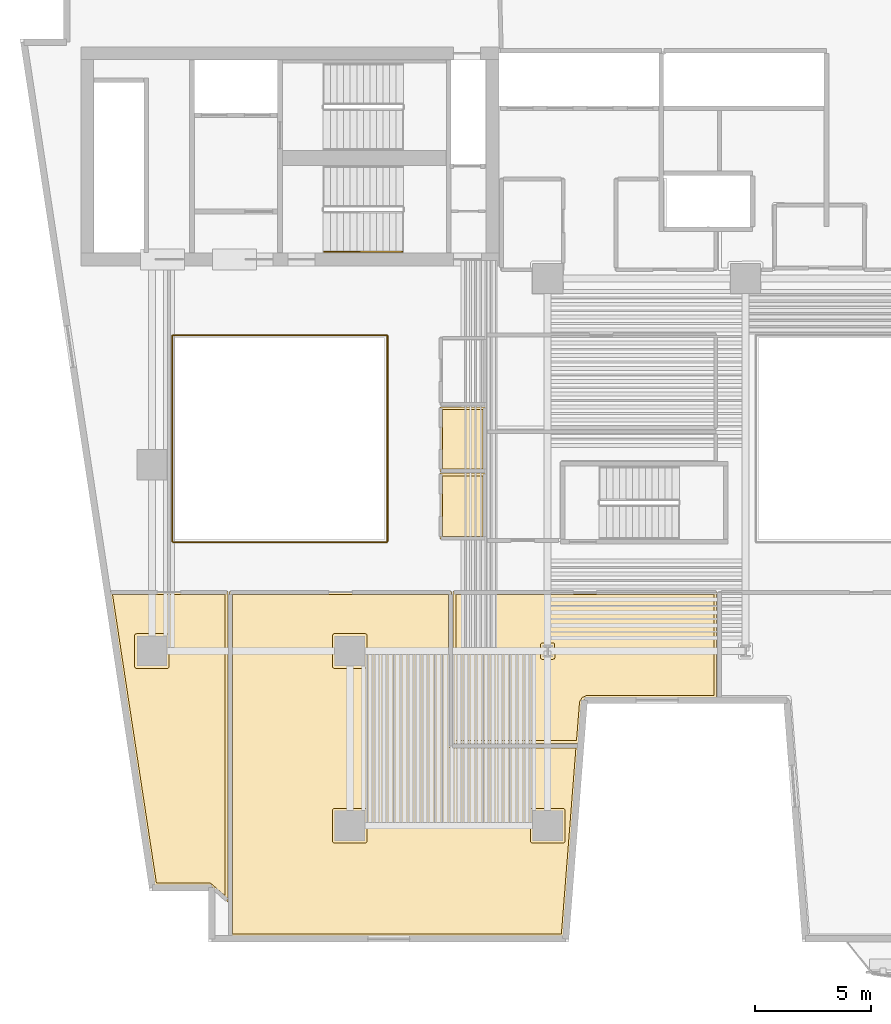
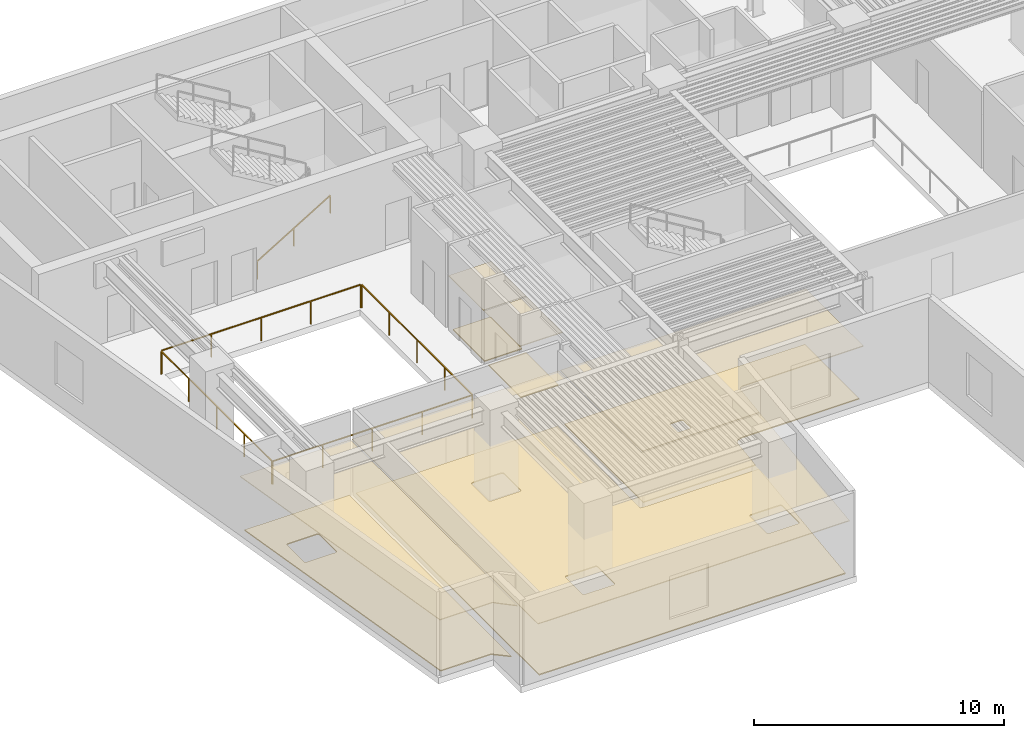
# One storey, part 7 of 11: 10 coverings, 5 railings.
"""IFC4 building model written with IfcOpenShell, lengths in metres."""

from ifc_helpers import new_model, si_unit, direction, frame, origin, origin_2d, place, context, subcontext, project, spatial, polyline, rectangle, outline, extrude, material, layer, layer_set, type_object, element, save


model = new_model("IFC4")

# Units and contexts
model_context = context("Model", 3, precision=1e-05, world=origin(), true_north=direction((0.0, 1.0)))
body_context = subcontext(model_context, "Body", "Model", "MODEL_VIEW")
ifc_project = project(units=[si_unit("LENGTHUNIT", "METRE"), si_unit("AREAUNIT", "SQUARE_METRE"), si_unit("VOLUMEUNIT", "CUBIC_METRE"), si_unit("PLANEANGLEUNIT", "RADIAN"), si_unit("MASSUNIT", "GRAM", prefix="KILO")], contexts=[model_context])

# Site, building, storey
site_placement = place(None, origin())
site = spatial("IfcSite", under=ifc_project, at=site_placement, CompositionType="ELEMENT")
building_placement = place(site_placement, origin())
building = spatial("IfcBuilding", under=site, at=building_placement, Name="Caeloran Harvest Quay", CompositionType="ELEMENT")
storey_placement = place(building_placement, frame((0.0, 0.0, 75.39990234375)))
storey = spatial("IfcBuildingStorey", under=building, at=storey_placement, Name="L17", CompositionType="ELEMENT", Elevation=75.39990234375)

# Coverings
ifc_material_1 = material(Name="Perforated Mineral-Fibre Acoustic Ceiling Tile", Category="ceiling")
ifc_layer_1 = layer(ifc_material_1, 0.0400390625, Name="Perforated Mineral-Fibre Acoustic Ceiling Tile")
ifc_layer_set_1 = layer_set([ifc_layer_1], Name="Perforated Mineral-Fibre Acoustic Ceiling Tile")
covering_type_1 = type_object("IfcCoveringType", Name="COV-CEILING-ACOUSTIC", PredefinedType="CEILING", material=ifc_layer_set_1)
covering_1_placement = place(storey_placement, frame((0.0, 0.0, 2.60009765625)))
element("IfcCovering", 1, at=covering_1_placement, inside=storey, type_object=covering_type_1, Name="L17 Female Washroom WC Acoustic Ceiling", PredefinedType="CEILING", context=body_context, shape_type="SweptSolid", body=[
    extrude(outline(polyline([(22.840087890625, 22.7099609375), (20.8701171875, 22.7099609375), (20.8701171875, 25.489990234375), (22.840087890625, 25.489990234375), (22.840087890625, 22.7099609375)])), origin(), (0.0, 0.0, 1.0), 0.0400390625),
])
covering_2_placement = place(storey_placement, frame((0.0, 0.0, 2.60009765625)))
element("IfcCovering", 2, at=covering_2_placement, inside=storey, type_object=covering_type_1, Name="L17 Accessible Unisex Washroom WC Acoustic Ceiling", PredefinedType="CEILING", context=body_context, shape_type="SweptSolid", body=[
    extrude(outline(polyline([(22.840087890625, 19.81005859375), (20.8701171875, 19.81005859375), (20.8701171875, 22.639892578125), (22.840087890625, 22.639892578125), (22.840087890625, 19.81005859375)])), origin(), (0.0, 0.0, 1.0), 0.0400390625),
])
covering_3_placement = place(storey_placement, frame((0.0, 0.0, 2.60009765625)))
element("IfcCovering", 3, at=covering_3_placement, inside=storey, type_object=covering_type_1, Name="Dwarf Citrus Mezzanine Growing Hall Acoustic Ceiling", PredefinedType="CEILING", context=body_context, shape_type="SweptSolid", body=[
    extrude(outline(polyline([(21.360107421875, 10.9599609375), (26.842529296875, 10.9599609375), (26.199462890625, 2.719970703125), (11.840087890625, 2.719970703125), (11.840087890625, 17.56005859375), (21.360107421875, 17.56005859375), (21.360107421875, 10.9599609375)])), origin(), (0.0, 0.0, 1.0), 0.0400390625),
])
covering_4_placement = place(storey_placement, frame((0.0, 0.0, 2.60009765625)))
element("IfcCovering", 4, at=covering_4_placement, inside=storey, type_object=covering_type_1, Name="Photobiology Spectrum Laboratory Acoustic Ceiling", PredefinedType="CEILING", context=body_context, shape_type="SweptSolid", body=[
    extrude(outline(polyline([(11.760009765625, 4.2236328125), (11.139404296875, 4.7861328125), (11.092529296875, 4.85546875), (10.99169921875, 4.919921875), (8.59130859375, 4.919921875), (6.668701171875, 17.56005859375), (11.760009765625, 17.56005859375), (11.760009765625, 4.2236328125)])), origin(), (0.0, 0.0, 1.0), 0.0400390625),
])
covering_5_placement = place(storey_placement, frame((0.0, 0.0, 2.60009765625)))
element("IfcCovering", 5, at=covering_5_placement, inside=storey, type_object=covering_type_1, Name="Water Chemistry QA Laboratory Acoustic Ceiling", PredefinedType="CEILING", context=body_context, shape_type="SweptSolid", body=[
    extrude(outline(polyline([(27.159423828125, 12.965576171875), (27.0458984375, 12.90380859375), (26.986572265625, 12.788818359375), (26.848876953125, 11.0400390625), (21.43994140625, 11.0400390625), (21.43994140625, 17.56005859375), (32.760009765625, 17.56005859375), (32.760009765625, 12.969970703125), (27.159423828125, 12.965576171875)])), origin(), (0.0, 0.0, 1.0), 0.0400390625),
])
ifc_material_2 = material(Name="Calcium-Sulphate Raised Access Floor and Terrazzo Finish", Category="flooring")
ifc_layer_2 = layer(ifc_material_2, 0.050048828125, Name="Calcium-Sulphate Raised Access Floor and Terrazzo Finish")
ifc_layer_set_2 = layer_set([ifc_layer_2], Name="Calcium-Sulphate Raised Access Floor and Terrazzo Finish")
covering_type_2 = type_object("IfcCoveringType", Name="COV-FLOOR-RAISED", PredefinedType="FLOORING", material=ifc_layer_set_2)
covering_6_placement = place(storey_placement, origin())
element("IfcCovering", 6, at=covering_6_placement, inside=storey, type_object=covering_type_2, Name="L17 Female Washroom WC Raised Finish Flooring", PredefinedType="FLOORING", context=body_context, shape_type="SweptSolid", body=[
    extrude(outline(polyline([(22.719970703125, 22.830078125), (20.989990234375, 22.830078125), (20.989990234375, 25.3701171875), (22.719970703125, 25.3701171875), (22.719970703125, 22.830078125)])), origin(), (0.0, 0.0, 1.0), 0.050048828125),
])
covering_7_placement = place(storey_placement, origin())
element("IfcCovering", 7, at=covering_7_placement, inside=storey, type_object=covering_type_2, Name="L17 Accessible Unisex Washroom WC Raised Finish Flooring", PredefinedType="FLOORING", context=body_context, shape_type="SweptSolid", body=[
    extrude(outline(polyline([(22.719970703125, 19.929931640625), (20.989990234375, 19.929931640625), (20.989990234375, 22.52001953125), (22.719970703125, 22.52001953125), (22.719970703125, 19.929931640625)])), origin(), (0.0, 0.0, 1.0), 0.050048828125),
])
covering_8_placement = place(storey_placement, origin())
element("IfcCovering", 8, at=covering_8_placement, inside=storey, type_object=covering_type_2, Name="Dwarf Citrus Mezzanine Growing Hall Raised Finish Flooring", PredefinedType="FLOORING", context=body_context, shape_type="SweptSolid", body=[
    extrude(outline(polyline([(11.9599609375, 17.43994140625), (21.239990234375, 17.43994140625), (21.25830078125, 10.869140625), (21.320068359375, 10.840087890625), (26.712890625, 10.840087890625), (26.08837890625, 2.840087890625), (11.9599609375, 2.840087890625), (11.9599609375, 17.43994140625)]), holes=[polyline([(26.2451171875, 8.1650390625), (26.2216796875, 8.2216796875), (26.1650390625, 8.2451171875), (24.8349609375, 8.2451171875), (24.7783203125, 8.2216796875), (24.7548828125, 8.1650390625), (24.7548828125, 6.8349609375), (24.7783203125, 6.7783203125), (24.8349609375, 6.7548828125), (26.1650390625, 6.7548828125), (26.2216796875, 6.7783203125), (26.2451171875, 6.8349609375), (26.2451171875, 8.1650390625)]), polyline([(16.3349609375, 8.2451171875), (16.2783203125, 8.2216796875), (16.2548828125, 8.1650390625), (16.2548828125, 6.8349609375), (16.2783203125, 6.7783203125), (16.3349609375, 6.7548828125), (17.6650390625, 6.7548828125), (17.7216796875, 6.7783203125), (17.7451171875, 6.8349609375), (17.7451171875, 8.1650390625), (17.7216796875, 8.2216796875), (17.6650390625, 8.2451171875), (16.3349609375, 8.2451171875)]), polyline([(17.7451171875, 15.6650390625), (17.7216796875, 15.7216796875), (17.6650390625, 15.7451171875), (16.3349609375, 15.7451171875), (16.2783203125, 15.7216796875), (16.2548828125, 15.6650390625), (16.2548828125, 14.3349609375), (16.2783203125, 14.2783203125), (16.3349609375, 14.2548828125), (17.6650390625, 14.2548828125), (17.7216796875, 14.2783203125), (17.7451171875, 14.3349609375), (17.7451171875, 15.6650390625)])]), origin(), (0.0, 0.0, 1.0), 0.050048828125),
])
covering_9_placement = place(storey_placement, origin())
element("IfcCovering", 9, at=covering_9_placement, inside=storey, type_object=covering_type_2, Name="Photobiology Spectrum Laboratory Raised Finish Flooring", PredefinedType="FLOORING", context=body_context, shape_type="SweptSolid", body=[
    extrude(outline(polyline([(11.639892578125, 4.494384765625), (11.007080078125, 5.0400390625), (8.694580078125, 5.0400390625), (6.80810546875, 17.43994140625), (11.639892578125, 17.43994140625), (11.639892578125, 4.494384765625)]), holes=[polyline([(9.2451171875, 15.6650390625), (9.2216796875, 15.7216796875), (9.1650390625, 15.7451171875), (7.8349609375, 15.7451171875), (7.7783203125, 15.7216796875), (7.7548828125, 15.6650390625), (7.7548828125, 14.3349609375), (7.7783203125, 14.2783203125), (7.8349609375, 14.2548828125), (9.1650390625, 14.2548828125), (9.2216796875, 14.2783203125), (9.2451171875, 14.3349609375), (9.2451171875, 15.6650390625)])]), origin(), (0.0, 0.0, 1.0), 0.050048828125),
])
covering_10_placement = place(storey_placement, origin())
element("IfcCovering", 10, at=covering_10_placement, inside=storey, type_object=covering_type_2, Name="Water Chemistry QA Laboratory Raised Finish Flooring", PredefinedType="FLOORING", context=body_context, shape_type="SweptSolid", body=[
    extrude(outline(polyline([(27.173095703125, 13.088623046875), (26.981689453125, 13.008056640625), (26.869140625, 12.81396484375), (26.73779296875, 11.159912109375), (21.56005859375, 11.159912109375), (21.56005859375, 17.43994140625), (32.639892578125, 17.43994140625), (32.639892578125, 13.090087890625), (27.173095703125, 13.088623046875)]), holes=[polyline([(25.8134765625, 14.72802734375), (25.79541015625, 15.32275390625), (25.7412109375, 15.3515625), (25.2666015625, 15.35205078125), (25.2099609375, 15.32861328125), (25.1865234375, 15.27197265625), (25.1865234375, 14.72802734375), (25.2099609375, 14.67138671875), (25.2666015625, 14.64794921875), (25.7333984375, 14.64794921875), (25.7900390625, 14.67138671875), (25.8134765625, 14.72802734375)])]), origin(), (0.0, 0.0, 1.0), 0.050048828125),
])

# Railings
ifc_material_3 = material(Name="Powder-Coated Steel Post and Laminated Glass Guardrail", Category="steel")
ifc_layer_3 = layer(ifc_material_3, 0.06005859375, Name="Powder-Coated Steel Post and Laminated Glass Guardrail")
ifc_layer_set_3 = layer_set([ifc_layer_3], Name="Powder-Coated Steel Post and Laminated Glass Guardrail")
railing_type_1 = type_object("IfcRailingType", Name="GUARD-ATRIUM-1150", PredefinedType="GUARDRAIL", material=ifc_layer_set_3)
railing_1_placement = place(storey_placement, frame((9.412109375, 19.679931640625, 0.0)))
element("IfcRailing", 11, at=railing_1_placement, inside=storey, type_object=railing_type_1, Name="L17 Skylit Atrium Void Perimeter Guardrail Seg 1", PredefinedType="GUARDRAIL", context=body_context, shape_type="SweptSolid", body=[
    extrude(rectangle(XDim=0.048095703125, YDim=0.048095703125, at=origin_2d()), frame((0.0, 0.0, 1.1259765625), z_axis=(1.0, 0.0, 0.0), x_axis=(0.0, 1.0, 0.0)), (0.0, 0.0, 1.0), 9.17578125),
    extrude(rectangle(XDim=0.0419921875, YDim=0.0419921875, at=origin_2d()), origin(), (0.0, 0.0, 1.0), 1.101806640625),
    extrude(rectangle(XDim=0.0419921875, YDim=0.0419921875, at=origin_2d()), frame((2.2939453125, 0.0, 0.0)), (0.0, 0.0, 1.0), 1.101806640625),
    extrude(rectangle(XDim=0.0419921875, YDim=0.0419921875, at=origin_2d()), frame((4.587890625, 0.0, 0.0)), (0.0, 0.0, 1.0), 1.101806640625),
    extrude(rectangle(XDim=0.0419921875, YDim=0.0419921875, at=origin_2d()), frame((6.8818359375, 0.0, 0.0)), (0.0, 0.0, 1.0), 1.101806640625),
    extrude(rectangle(XDim=0.0419921875, YDim=0.0419921875, at=origin_2d()), frame((9.17578125, 0.0, 0.0)), (0.0, 0.0, 1.0), 1.101806640625),
])
railing_2_placement = place(storey_placement, frame((18.6201171875, 19.7119140625, 0.0)))
element("IfcRailing", 12, at=railing_2_placement, inside=storey, type_object=railing_type_1, Name="L17 Skylit Atrium Void Perimeter Guardrail Seg 2", PredefinedType="GUARDRAIL", context=body_context, shape_type="SweptSolid", body=[
    extrude(rectangle(XDim=0.048095703125, YDim=0.048095703125, at=origin_2d()), frame((0.0, 0.0, 1.1259765625), z_axis=(0.0, 1.0, 0.0), x_axis=(-1.0, 0.0, 0.0)), (0.0, 0.0, 1.0), 8.826171875),
    extrude(rectangle(XDim=0.0419921875, YDim=0.0419921875, at=origin_2d()), origin(), (0.0, 0.0, 1.0), 1.101806640625),
    extrude(rectangle(XDim=0.0419921875, YDim=0.0419921875, at=origin_2d()), frame((0.0, 2.20654296875, 0.0)), (0.0, 0.0, 1.0), 1.101806640625),
    extrude(rectangle(XDim=0.0419921875, YDim=0.0419921875, at=origin_2d()), frame((0.0, 4.4130859375, 0.0)), (0.0, 0.0, 1.0), 1.101806640625),
    extrude(rectangle(XDim=0.0419921875, YDim=0.0419921875, at=origin_2d()), frame((0.0, 6.61962890625, 0.0)), (0.0, 0.0, 1.0), 1.101806640625),
    extrude(rectangle(XDim=0.0419921875, YDim=0.0419921875, at=origin_2d()), frame((0.0, 8.826171875, 0.0)), (0.0, 0.0, 1.0), 1.101806640625),
])
railing_3_placement = place(storey_placement, frame((18.587890625, 28.570068359375, 0.0)))
element("IfcRailing", 13, at=railing_3_placement, inside=storey, type_object=railing_type_1, Name="L17 Skylit Atrium Void Perimeter Guardrail Seg 3", PredefinedType="GUARDRAIL", context=body_context, shape_type="SweptSolid", body=[
    extrude(rectangle(XDim=0.048095703125, YDim=0.048095703125, at=origin_2d()), frame((0.0, 0.0, 1.1259765625), z_axis=(-1.0, 0.0, 0.0), x_axis=(0.0, -1.0, 0.0)), (0.0, 0.0, 1.0), 9.17578125),
    extrude(rectangle(XDim=0.0419921875, YDim=0.0419921875, at=origin_2d()), origin(), (0.0, 0.0, 1.0), 1.101806640625),
    extrude(rectangle(XDim=0.0419921875, YDim=0.0419921875, at=origin_2d()), frame((-2.2939453125, 0.0, 0.0)), (0.0, 0.0, 1.0), 1.101806640625),
    extrude(rectangle(XDim=0.0419921875, YDim=0.0419921875, at=origin_2d()), frame((-4.587890625, 0.0, 0.0)), (0.0, 0.0, 1.0), 1.101806640625),
    extrude(rectangle(XDim=0.0419921875, YDim=0.0419921875, at=origin_2d()), frame((-6.8818359375, 0.0, 0.0)), (0.0, 0.0, 1.0), 1.101806640625),
    extrude(rectangle(XDim=0.0419921875, YDim=0.0419921875, at=origin_2d()), frame((-9.17578125, 0.0, 0.0)), (0.0, 0.0, 1.0), 1.101806640625),
])
railing_4_placement = place(storey_placement, frame((9.3798828125, 28.5380859375, 0.0)))
element("IfcRailing", 14, at=railing_4_placement, inside=storey, type_object=railing_type_1, Name="L17 Skylit Atrium Void Perimeter Guardrail Seg 4", PredefinedType="GUARDRAIL", context=body_context, shape_type="SweptSolid", body=[
    extrude(rectangle(XDim=0.048095703125, YDim=0.048095703125, at=origin_2d()), frame((0.0, 0.0, 1.1259765625), z_axis=(0.0, -1.0, 0.0), x_axis=(1.0, 0.0, 0.0)), (0.0, 0.0, 1.0), 8.826171875),
    extrude(rectangle(XDim=0.0419921875, YDim=0.0419921875, at=origin_2d()), origin(), (0.0, 0.0, 1.0), 1.101806640625),
    extrude(rectangle(XDim=0.0419921875, YDim=0.0419921875, at=origin_2d()), frame((0.0, -2.20654296875, 0.0)), (0.0, 0.0, 1.0), 1.101806640625),
    extrude(rectangle(XDim=0.0419921875, YDim=0.0419921875, at=origin_2d()), frame((0.0, -4.4130859375, 0.0)), (0.0, 0.0, 1.0), 1.101806640625),
    extrude(rectangle(XDim=0.0419921875, YDim=0.0419921875, at=origin_2d()), frame((0.0, -6.61962890625, 0.0)), (0.0, 0.0, 1.0), 1.101806640625),
    extrude(rectangle(XDim=0.0419921875, YDim=0.0419921875, at=origin_2d()), frame((0.0, -8.826171875, 0.0)), (0.0, 0.0, 1.0), 1.101806640625),
])
ifc_material_4 = material(Name="Brushed Stainless Steel Grade 304", Category="steel")
ifc_layer_4 = layer(ifc_material_4, 0.050048828125, Name="Brushed Stainless Steel Grade 304")
ifc_layer_set_4 = layer_set([ifc_layer_4], Name="Brushed Stainless Steel Grade 304")
railing_type_2 = type_object("IfcRailingType", Name="STAIR-HANDRAIL-900", PredefinedType="HANDRAIL", material=ifc_layer_set_4)
railing_5_placement = place(storey_placement, frame((15.89990234375, 32.14990234375, 0.16943359375)))
element("IfcRailing", 15, at=railing_5_placement, inside=storey, type_object=railing_type_2, Name="L17 ST-C2 stair handrail 1", PredefinedType="HANDRAIL", context=body_context, shape_type="SweptSolid", body=[
    extrude(rectangle(XDim=0.048095703125, YDim=0.048095703125, at=origin_2d()), frame((0.0, 0.0, 0.8759765625), z_axis=(0.855836976705, 0.0, 0.517245656632), x_axis=(0.0, 1.0, 0.0)), (0.0, 0.0, 1.0), 3.926025390625),
    extrude(rectangle(XDim=0.0419921875, YDim=0.0419921875, at=origin_2d()), origin(), (0.0, 0.0, 1.0), 0.851806640625),
    extrude(rectangle(XDim=0.0419921875, YDim=0.0419921875, at=origin_2d()), frame((1.68017578125, 0.0, 1.015380859375)), (0.0, 0.0, 1.0), 0.851806640625),
    extrude(rectangle(XDim=0.0419921875, YDim=0.0419921875, at=origin_2d()), frame((3.360107421875, 0.0, 2.03076171875)), (0.0, 0.0, 1.0), 0.851806640625),
])

save(model, "model.ifc")
